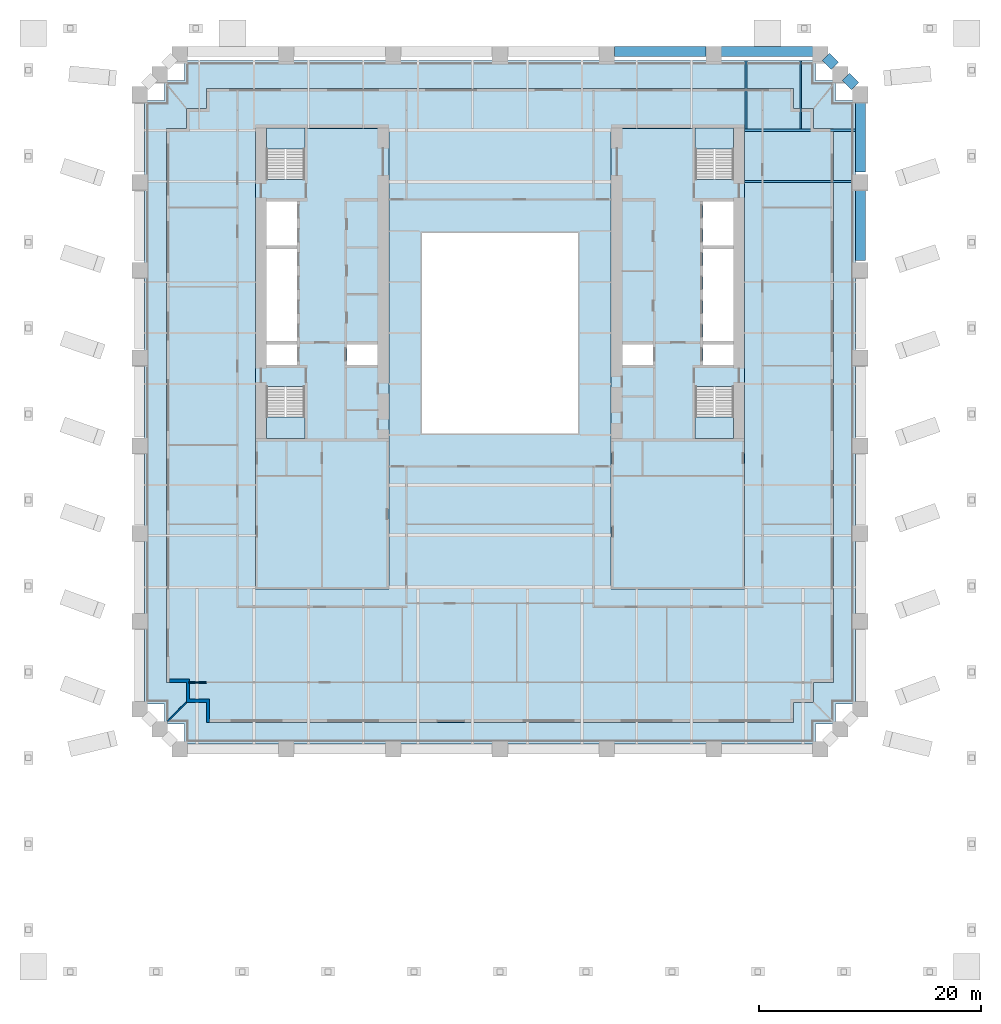
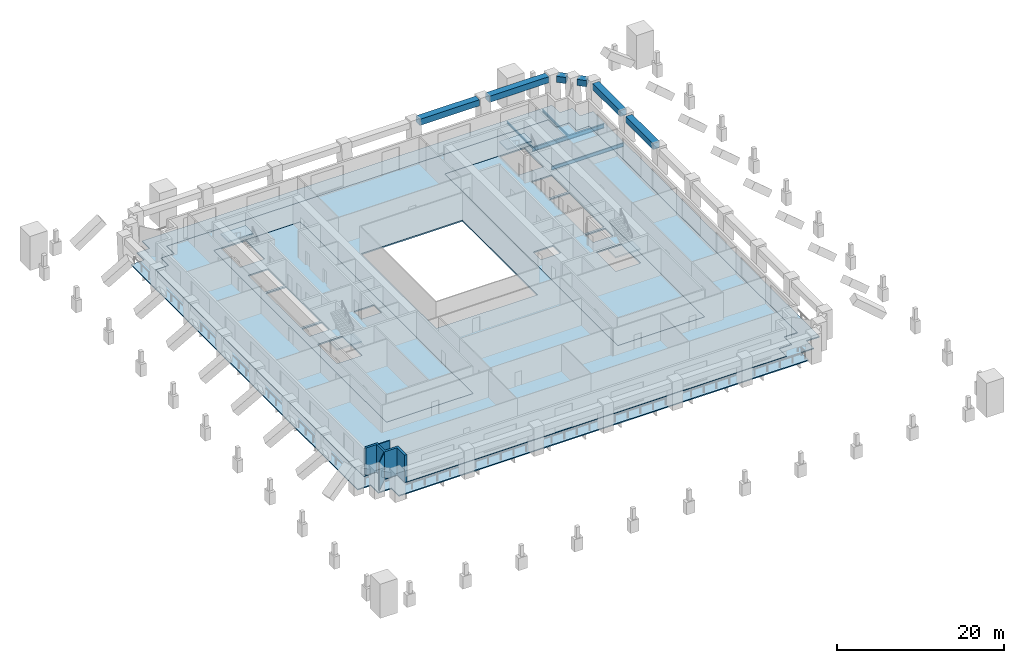
# One storey, part 2 of 10: 10 beams, 8 slabs, 3 walls, 4 elements without a shape of their own.
"""IFC4 building model written with IfcOpenShell, lengths in metres."""

from ifc_helpers import new_model, si_unit, direction, frame, frame_2d, origin, origin_2d, place, context, subcontext, project, spatial, polyline, rectangle, i_section, outline, extrude, material, layer, layer_set, material_profile, profile_set, type_object, element, aggregate, save


model = new_model("IFC4")

# Units and contexts
model_context = context("Model", 3, precision=1e-05, world=origin(), true_north=direction((0.0, 1.0)))
body_context = subcontext(model_context, "Body", "Model", "MODEL_VIEW")
ifc_project = project(units=[si_unit("LENGTHUNIT", "METRE"), si_unit("AREAUNIT", "SQUARE_METRE"), si_unit("VOLUMEUNIT", "CUBIC_METRE"), si_unit("PLANEANGLEUNIT", "RADIAN"), si_unit("MASSUNIT", "GRAM", prefix="KILO")], contexts=[model_context])

# Site, building, storey
site_placement = place(None, origin())
site = spatial("IfcSite", under=ifc_project, at=site_placement, CompositionType="ELEMENT")
building_placement = place(site_placement, origin())
building = spatial("IfcBuilding", under=site, at=building_placement, Name="Ogive Exchange Tower", CompositionType="ELEMENT")
storey_placement = place(building_placement, frame((0.0, 0.0, 39.60009765625)))
storey = spatial("IfcBuildingStorey", under=building, at=storey_placement, Name="L07", CompositionType="ELEMENT", Elevation=39.60009765625)

# Beams
ifc_material_1 = material(Name="Steel ASTM A992 Gr50", Category="steel")
ifc_material_profile_1 = material_profile(ifc_material_1, i_section(OverallWidth=0.1650390625, OverallDepth=0.31005859375, WebThickness=0.005859375, FlangeThickness=0.009765625, at=origin_2d()), Name="W310x38.7")
ifc_profile_set_1 = profile_set([ifc_material_profile_1], Name="Steel ASTM A992 Gr50")
beam_type_1 = type_object("IfcBeamType", Name="Floor beam W310x38.7", PredefinedType="JOIST", material=ifc_profile_set_1)
for number, where, z_axis, x_axis, name in (
    (1, (22.119140625, 25.35888671875, -0.35498046875), (0.0, 1.0, 0.0), (-1.0, 0.0, 0.0), "Floor beam"),
    (2, (27.03466796875, 25.35888671875, -0.35498046875), (0.0, 1.0, 0.0), (-1.0, 0.0, 0.0), "Floor beam"),
):
    element("IfcBeam", number, at=place(storey_placement, frame(where, z_axis=z_axis, x_axis=x_axis)), inside=storey, type_object=beam_type_1, Name=name, PredefinedType="JOIST", context=body_context, shape_type="SweptSolid", body=[
        extrude(i_section(OverallWidth=0.1650390625, OverallDepth=0.31005859375, WebThickness=0.005859375, FlangeThickness=0.009765625, at=origin_2d()), origin(), (0.0, 0.0, 1.0), 6.13671875),
    ])
ifc_material_profile_2 = material_profile(ifc_material_1, i_section(OverallWidth=0.1669921875, OverallDepth=0.535888671875, WebThickness=0.01025390625, FlangeThickness=0.0166015625, at=origin_2d()), Name="W530x85")
ifc_profile_set_2 = profile_set([ifc_material_profile_2], Name="Steel ASTM A992 Gr50")
beam_type_2 = type_object("IfcBeamType", Name="Floor beam W530x85", PredefinedType="JOIST", material=ifc_profile_set_2)
beam_1_placement = place(storey_placement, frame((22.0, 20.62255859375, -0.468017578125), z_axis=(1.0, 0.0, 0.0), x_axis=(0.0, 1.0, 0.0)))
element("IfcBeam", 3, at=beam_1_placement, inside=storey, type_object=beam_type_2, Name="Floor beam", PredefinedType="JOIST", context=body_context, shape_type="SweptSolid", body=[
    extrude(i_section(OverallWidth=0.1669921875, OverallDepth=0.535888671875, WebThickness=0.01025390625, FlangeThickness=0.0166015625, at=origin_2d()), origin(), (0.0, 0.0, 1.0), 9.949951171875),
])
ifc_material_profile_3 = material_profile(ifc_material_1, i_section(OverallWidth=0.22802734375, OverallDepth=0.60205078125, WebThickness=0.010498046875, FlangeThickness=0.014892578125, at=origin_2d()), Name="W610x101")
ifc_profile_set_3 = profile_set([ifc_material_profile_3], Name="Steel ASTM A992 Gr50")
beam_type_3 = type_object("IfcBeamType", Name="Girder W610x101", PredefinedType="BEAM", material=ifc_profile_set_3)
beam_2_placement = place(storey_placement, frame((22.0, 25.2451171875, -0.5009765625), z_axis=(1.0, 0.0, 0.0), x_axis=(0.0, 1.0, 0.0)))
element("IfcBeam", 4, at=beam_2_placement, inside=storey, type_object=beam_type_3, Name="Header girder", PredefinedType="BEAM", context=body_context, shape_type="SweptSolid", body=[
    extrude(i_section(OverallWidth=0.22802734375, OverallDepth=0.60205078125, WebThickness=0.010498046875, FlangeThickness=0.014892578125, at=origin_2d()), origin(), (0.0, 0.0, 1.0), 9.949951171875),
])
ifc_material_2 = material(Name="Precast concrete C70/85 (limestone faced)", Category="masonry")
ifc_material_profile_4 = material_profile(ifc_material_2, rectangle(XDim=0.89990234375, YDim=0.89990234375, at=origin_2d()), Name="900 x 900")
ifc_profile_set_4 = profile_set([ifc_material_profile_4], Name="Precast concrete C70/85 (limestone faced)")
beam_type_4 = type_object("IfcBeamType", Name="Precast spandrel 900 x 900 C70/85", PredefinedType="SPANDREL", material=ifc_profile_set_4)
for number, where, z_axis, x_axis, name in (
    (5, (32.39990234375, 13.542236328125, 3.5), (0.0, 1.0, 0.0), (-1.0, 0.0, 0.0), "Spandrel 14"),
    (6, (32.39990234375, 21.474853515625, 3.5), (0.0, 1.0, 0.0), (-1.0, 0.0, 0.0), "Spandrel 15"),
):
    element("IfcBeam", number, at=place(storey_placement, frame(where, z_axis=z_axis, x_axis=x_axis)), inside=storey, type_object=beam_type_4, Name=name, PredefinedType="SPANDREL", context=body_context, shape_type="SweptSolid", body=[
        extrude(rectangle(XDim=0.89990234375, YDim=0.89990234375, at=origin_2d()), origin(), (0.0, 0.0, 1.0), 6.572509765625),
    ])
for number, where, z_axis, x_axis, name in (
    (7, (31.912109375, 29.215087890625, 3.5), (-0.707106781187, 0.707106781187, 0.0), (-0.707106781187, -0.707106781187, 0.0), "Spandrel 16"),
    (8, (30.112060546875, 31.01513671875, 3.5), (-0.707106781187, 0.707106781187, 0.0), (-0.707106781187, -0.707106781187, 0.0), "Spandrel 17"),
):
    element("IfcBeam", number, at=place(storey_placement, frame(where, z_axis=z_axis, x_axis=x_axis)), inside=storey, type_object=beam_type_4, Name=name, PredefinedType="SPANDREL", context=body_context, shape_type="SweptSolid", body=[
        extrude(rectangle(XDim=0.89990234375, YDim=0.89990234375, at=origin_2d()), origin(), (0.0, 0.0, 1.0), 1.16552734375),
    ])
beam_3_placement = place(storey_placement, frame((28.1201171875, 32.327392578125, 3.5), z_axis=(-1.0, 0.0, 0.0), x_axis=(0.0, -1.0, 0.0)))
element("IfcBeam", 9, at=beam_3_placement, inside=storey, type_object=beam_type_4, Name="Spandrel 18", PredefinedType="SPANDREL", context=body_context, shape_type="SweptSolid", body=[
    extrude(rectangle(XDim=0.89990234375, YDim=0.89990234375, at=origin_2d()), origin(), (0.0, 0.0, 1.0), 8.240234375),
])
beam_4_placement = place(storey_placement, frame((18.52001953125, 32.327392578125, 3.5), z_axis=(-1.0, 0.0, 0.0), x_axis=(0.0, -1.0, 0.0)))
element("IfcBeam", 10, at=beam_4_placement, inside=storey, type_object=beam_type_4, Name="Spandrel 19", PredefinedType="SPANDREL", context=body_context, shape_type="SweptSolid", body=[
    extrude(rectangle(XDim=0.89990234375, YDim=0.89990234375, at=origin_2d()), origin(), (0.0, 0.0, 1.0), 8.239990234375),
])

# Slabs
ifc_material_3 = material(Name="Concrete C50/60", Category="concrete")
ifc_layer_1 = layer(ifc_material_3, 0.199951171875)
ifc_layer_set_1 = layer_set([ifc_layer_1], Name="Composite floor slab 200")
slab_type_1 = type_object("IfcSlabType", Name="Composite floor slab 200", PredefinedType="FLOOR", material=ifc_layer_set_1)
slab_1_placement = place(storey_placement, frame((0.0, 0.0, -0.2001953125)))
element("IfcSlab", 11, at=slab_1_placement, inside=storey, type_object=slab_type_1, Name="Composite floor slab", PredefinedType="FLOOR", context=body_context, shape_type="SweptSolid", body=[
    extrude(outline(polyline([(-26.39990234375, -26.199951171875), (-28.199951171875, -26.199951171875), (-28.199951171875, -24.39990234375), (-30.0, -24.39990234375), (-30.0, 25.39990234375), (-28.199951171875, 25.39990234375), (-28.199951171875, 27.199951171875), (-26.39990234375, 27.199951171875), (-26.39990234375, 29.0), (26.39990234375, 29.0), (26.39990234375, 27.199951171875), (28.199951171875, 27.199951171875), (28.199951171875, 25.39990234375), (30.0, 25.39990234375), (30.0, -24.39990234375), (28.199951171875, -24.39990234375), (28.199951171875, -26.199951171875), (26.39990234375, -26.199951171875), (26.39990234375, -28.0), (-26.39990234375, -28.0), (-26.39990234375, -26.199951171875)]), holes=[polyline([(-10.0, -16.0), (-10.0, 25.39990234375), (-22.0, 25.39990234375), (-22.0, -16.0), (-10.0, -16.0)]), polyline([(10.0, -16.0), (22.0, -16.0), (22.0, 25.39990234375), (10.0, 25.39990234375), (10.0, -16.0)]), polyline([(-7.0, -2.0), (7.0, -2.0), (7.0, 16.0), (-7.0, 16.0), (-7.0, -2.0)])]), origin(), (0.0, 0.0, 1.0), 0.2001953125),
])
ifc_material_4 = material(Name="Concrete C70/85", Category="concrete")
ifc_layer_2 = layer(ifc_material_4, 0.199951171875)
ifc_layer_set_2 = layer_set([ifc_layer_2], Name="Core floor slab 200")
slab_type_2 = type_object("IfcSlabType", Name="Core floor slab 200", PredefinedType="FLOOR", material=ifc_layer_set_2)
slab_2_placement = place(storey_placement, frame((0.0, 0.0, -0.2001953125)))
element("IfcSlab", 12, at=slab_2_placement, inside=storey, type_object=slab_type_2, Name="Core floor slab", PredefinedType="FLOOR", context=body_context, shape_type="SweptSolid", body=[
    extrude(outline(polyline([(-10.0, 25.39990234375), (-10.0, -16.0), (-22.0, -16.0), (-22.0, 25.39990234375), (-21.0, 25.39990234375), (-21.0, 20.803955078125), (-17.550048828125, 20.803955078125), (-17.550048828125, 25.39990234375), (-10.0, 25.39990234375)]), holes=[polyline([(-17.550048828125, 2.196044921875), (-21.0, 2.196044921875), (-21.0, -2.449951171875), (-17.550048828125, -2.449951171875), (-17.550048828125, 2.196044921875)]), polyline([(-18.25, 5.992919921875), (-21.0, 5.992919921875), (-21.0, 4.14990234375), (-18.25, 4.14990234375), (-18.25, 5.992919921875)]), polyline([(-11.0, 5.992919921875), (-13.75, 5.992919921875), (-13.75, 4.14990234375), (-11.0, 4.14990234375), (-11.0, 5.992919921875)]), polyline([(-21.0, 14.564208984375), (-21.0, 6.29296875), (-18.25, 6.29296875), (-18.25, 14.564208984375), (-21.0, 14.564208984375)]), polyline([(-18.25, 18.85009765625), (-21.0, 18.85009765625), (-21.0, 14.8642578125), (-18.25, 14.8642578125), (-18.25, 18.85009765625)])]), origin(), (0.0, 0.0, 1.0), 0.2001953125),
])
slab_3_placement = place(storey_placement, frame((0.0, 0.0, -0.2001953125)))
element("IfcSlab", 13, at=slab_3_placement, inside=storey, type_object=slab_type_2, Name="Core floor slab", PredefinedType="FLOOR", context=body_context, shape_type="SweptSolid", body=[
    extrude(outline(polyline([(22.0, 25.39990234375), (22.0, -16.0), (10.0, -16.0), (10.0, 25.39990234375), (17.550048828125, 25.39990234375), (17.550048828125, 20.803955078125), (21.0, 20.803955078125), (21.0, 25.39990234375), (22.0, 25.39990234375)]), holes=[polyline([(21.0, 2.196044921875), (17.550048828125, 2.196044921875), (17.550048828125, -2.449951171875), (21.0, -2.449951171875), (21.0, 2.196044921875)]), polyline([(13.75, 5.992919921875), (11.0, 5.992919921875), (11.0, 4.14990234375), (13.75, 4.14990234375), (13.75, 5.992919921875)]), polyline([(21.0, 5.992919921875), (18.25, 5.992919921875), (18.25, 4.14990234375), (21.0, 4.14990234375), (21.0, 5.992919921875)]), polyline([(18.25, 14.564208984375), (18.25, 6.29296875), (21.0, 6.29296875), (21.0, 14.564208984375), (18.25, 14.564208984375)]), polyline([(21.0, 18.85009765625), (18.25, 18.85009765625), (18.25, 14.8642578125), (21.0, 14.8642578125), (21.0, 18.85009765625)])]), origin(), (0.0, 0.0, 1.0), 0.2001953125),
])
ifc_layer_3 = layer(ifc_material_3, 0.14990234375)
ifc_layer_set_3 = layer_set([ifc_layer_3], Name="Loggia deck 150")
slab_type_3 = type_object("IfcSlabType", Name="Loggia deck 150", PredefinedType="FLOOR", material=ifc_layer_set_3)
slab_4_placement = place(storey_placement, frame((0.0, 0.0, -0.2001953125)))
element("IfcSlab", 14, at=slab_4_placement, inside=storey, type_object=slab_type_3, Name="Loggia deck", PredefinedType="FLOOR", context=body_context, shape_type="SweptSolid", body=[
    extrude(outline(polyline([(-28.35009765625, -28.14990234375), (-30.14990234375, -28.14990234375), (-30.14990234375, -26.35009765625), (-31.949951171875, -26.35009765625), (-31.949951171875, 27.8955078125), (-30.14990234375, 27.8955078125), (-30.14990234375, 29.695556640625), (-28.35009765625, 29.695556640625), (-28.35009765625, 31.49560546875), (28.35009765625, 31.49560546875), (28.35009765625, 29.695556640625), (30.14990234375, 29.695556640625), (30.14990234375, 27.8955078125), (31.949951171875, 27.8955078125), (31.949951171875, -26.35009765625), (30.14990234375, -26.35009765625), (30.14990234375, -28.14990234375), (28.35009765625, -28.14990234375), (28.35009765625, -29.949951171875), (-28.35009765625, -29.949951171875), (-28.35009765625, -28.14990234375)]), holes=[polyline([(26.39990234375, -26.199951171875), (28.199951171875, -26.199951171875), (28.199951171875, -24.39990234375), (30.0, -24.39990234375), (30.0, 25.39990234375), (28.199951171875, 25.39990234375), (28.199951171875, 27.199951171875), (26.39990234375, 27.199951171875), (26.39990234375, 29.0), (-26.39990234375, 29.0), (-26.39990234375, 27.199951171875), (-28.199951171875, 27.199951171875), (-28.199951171875, 25.39990234375), (-30.0, 25.39990234375), (-30.0, -24.39990234375), (-28.199951171875, -24.39990234375), (-28.199951171875, -26.199951171875), (-26.39990234375, -26.199951171875), (-26.39990234375, -28.0), (26.39990234375, -28.0), (26.39990234375, -26.199951171875)])]), origin(), (0.0, 0.0, 1.0), 0.150146484375),
])

# Stair, slab
ifc_material_5 = material(Name="Concrete C40/50", Category="concrete")
stair_type = type_object("IfcStairType", Name="Exit stair 1650 wide", PredefinedType="HALF_TURN_STAIR", material=ifc_material_5)
stair_1_placement = place(storey_placement, origin())
stair_1 = element("IfcStair", 15, at=stair_1_placement, inside=storey, type_object=stair_type, Name="L07 exit stair ST1", PredefinedType="HALF_TURN_STAIR")
ifc_layer_4 = layer(ifc_material_5, 0.199951171875)
ifc_layer_set_4 = layer_set([ifc_layer_4], Name="Stair landing 200 slab")
slab_type_4 = type_object("IfcSlabType", Name="Stair landing 200 slab", PredefinedType="LANDING", material=ifc_layer_set_4)
slab_5_placement = place(storey_placement, frame((0.0, 0.0, 1.89990234375)))
slab_5 = element("IfcSlab", 16, at=slab_5_placement, type_object=slab_type_4, Name="ST1 landing 1", PredefinedType="LANDING", context=body_context, shape_type="SweptSolid", body=[
    extrude(outline(polyline([(-21.0, -0.550048828125), (-21.0, -2.449951171875), (-17.550048828125, -2.449951171875), (-17.550048828125, -0.550048828125), (-21.0, -0.550048828125)])), origin(), (0.0, 0.0, 1.0), 0.199951171875),
])
aggregate(stair_1, [slab_5])

stair_2_placement = place(storey_placement, origin())
stair_2 = element("IfcStair", 17, at=stair_2_placement, inside=storey, type_object=stair_type, Name="L07 exit stair ST2", PredefinedType="HALF_TURN_STAIR")
slab_6_placement = place(storey_placement, frame((0.0, 0.0, 1.89990234375)))
slab_6 = element("IfcSlab", 18, at=slab_6_placement, type_object=slab_type_4, Name="ST2 landing 1", PredefinedType="LANDING", context=body_context, shape_type="SweptSolid", body=[
    extrude(outline(polyline([(-17.550048828125, 23.550048828125), (-17.550048828125, 25.449951171875), (-21.0, 25.449951171875), (-21.0, 23.550048828125), (-17.550048828125, 23.550048828125)])), origin(), (0.0, 0.0, 1.0), 0.199951171875),
])
aggregate(stair_2, [slab_6])

stair_3_placement = place(storey_placement, origin())
stair_3 = element("IfcStair", 19, at=stair_3_placement, inside=storey, type_object=stair_type, Name="L07 exit stair ST3", PredefinedType="HALF_TURN_STAIR")
slab_7_placement = place(storey_placement, frame((0.0, 0.0, 1.89990234375)))
slab_7 = element("IfcSlab", 20, at=slab_7_placement, type_object=slab_type_4, Name="ST3 landing 1", PredefinedType="LANDING", context=body_context, shape_type="SweptSolid", body=[
    extrude(outline(polyline([(17.550048828125, -0.550048828125), (17.550048828125, -2.449951171875), (21.0, -2.449951171875), (21.0, -0.550048828125), (17.550048828125, -0.550048828125)])), origin(), (0.0, 0.0, 1.0), 0.199951171875),
])
aggregate(stair_3, [slab_7])

stair_4_placement = place(storey_placement, origin())
stair_4 = element("IfcStair", 21, at=stair_4_placement, inside=storey, type_object=stair_type, Name="L07 exit stair ST4", PredefinedType="HALF_TURN_STAIR")
slab_8_placement = place(storey_placement, frame((0.0, 0.0, 1.89990234375)))
slab_8 = element("IfcSlab", 22, at=slab_8_placement, type_object=slab_type_4, Name="ST4 landing 1", PredefinedType="LANDING", context=body_context, shape_type="SweptSolid", body=[
    extrude(outline(polyline([(21.0, 23.550048828125), (21.0, 25.449951171875), (17.550048828125, 25.449951171875), (17.550048828125, 23.550048828125), (21.0, 23.550048828125)])), origin(), (0.0, 0.0, 1.0), 0.199951171875),
])
aggregate(stair_4, [slab_8])

# Walls
ifc_material_6 = material(Name="Precast concrete C40/50", Category="concrete")
ifc_layer_5 = layer(ifc_material_6, 0.300048828125)
ifc_layer_set_5 = layer_set([ifc_layer_5], Name="Limestone-faced wall 300")
wall_type_1 = type_object("IfcWallType", Name="Limestone-faced wall 300", PredefinedType="STANDARD", material=ifc_layer_set_5)
wall_1_placement = place(storey_placement, origin())
element("IfcWall", 23, at=wall_1_placement, inside=storey, type_object=wall_type_1, Name="External corner wall C4", PredefinedType="STANDARD", context=body_context, shape_type="SweptSolid", body=[
    extrude(outline(polyline([(-26.39990234375, -26.199951171875), (-28.199951171875, -26.199951171875), (-28.199951171875, -24.39990234375), (-29.699951171875, -24.39990234375), (-29.699951171875, -24.10009765625), (-27.89990234375, -24.10009765625), (-27.89990234375, -25.89990234375), (-26.10009765625, -25.89990234375), (-26.10009765625, -28.0), (-26.39990234375, -28.0), (-26.39990234375, -26.199951171875)])), origin(), (0.0, 0.0, 1.0), 4.0),
])
ifc_material_7 = material(Name="Laminated safety glass in steel frame", Category="steel")
ifc_layer_6 = layer(ifc_material_7, 0.10009765625)
ifc_layer_set_6 = layer_set([ifc_layer_6], Name="Loggia end screen 100")
wall_type_2 = type_object("IfcWallType", Name="Loggia end screen 100", PredefinedType="STANDARD", material=ifc_layer_set_6)
wall_2_placement = place(storey_placement, frame((-28.199951171875, -26.199951171875, -0.050048828125), z_axis=(0.0, 0.0, 1.0), x_axis=(-0.707106781187, -0.707106781187, 0.0)))
element("IfcWall", 24, at=wall_2_placement, inside=storey, type_object=wall_type_2, Name="Loggia end screen C4", PredefinedType="STANDARD", context=body_context, shape_type="SweptSolid", body=[
    extrude(rectangle(XDim=2.384521484375, YDim=0.10009765625, at=frame_2d((1.1923828125, 0.0))), origin(), (0.0, 0.0, 1.0), 4.050048828125),
])
ifc_material_8 = material(Name="Partition 100 gypsum")
ifc_layer_7 = layer(ifc_material_8, 0.10009765625)
ifc_layer_set_7 = layer_set([ifc_layer_7], Name="Partition 100 gypsum")
wall_type_3 = type_object("IfcWallType", Name="Partition 100 gypsum", PredefinedType="PARTITIONING", material=ifc_layer_set_7)
wall_3_placement = place(storey_placement, frame((-28.0, -24.409912109375, 0.0), z_axis=(0.0, 0.0, 1.0), x_axis=(1.0, 0.0, 0.0)))
element("IfcWall", 25, at=wall_3_placement, inside=storey, type_object=wall_type_3, Name="L07-PWL-004", PredefinedType="PARTITIONING", context=body_context, shape_type="SweptSolid", body=[
    extrude(rectangle(XDim=1.590087890625, YDim=0.10009765625, at=frame_2d((0.794921875, 0.0))), origin(), (0.0, 0.0, 1.0), 4.0),
])

save(model, "model.ifc")
